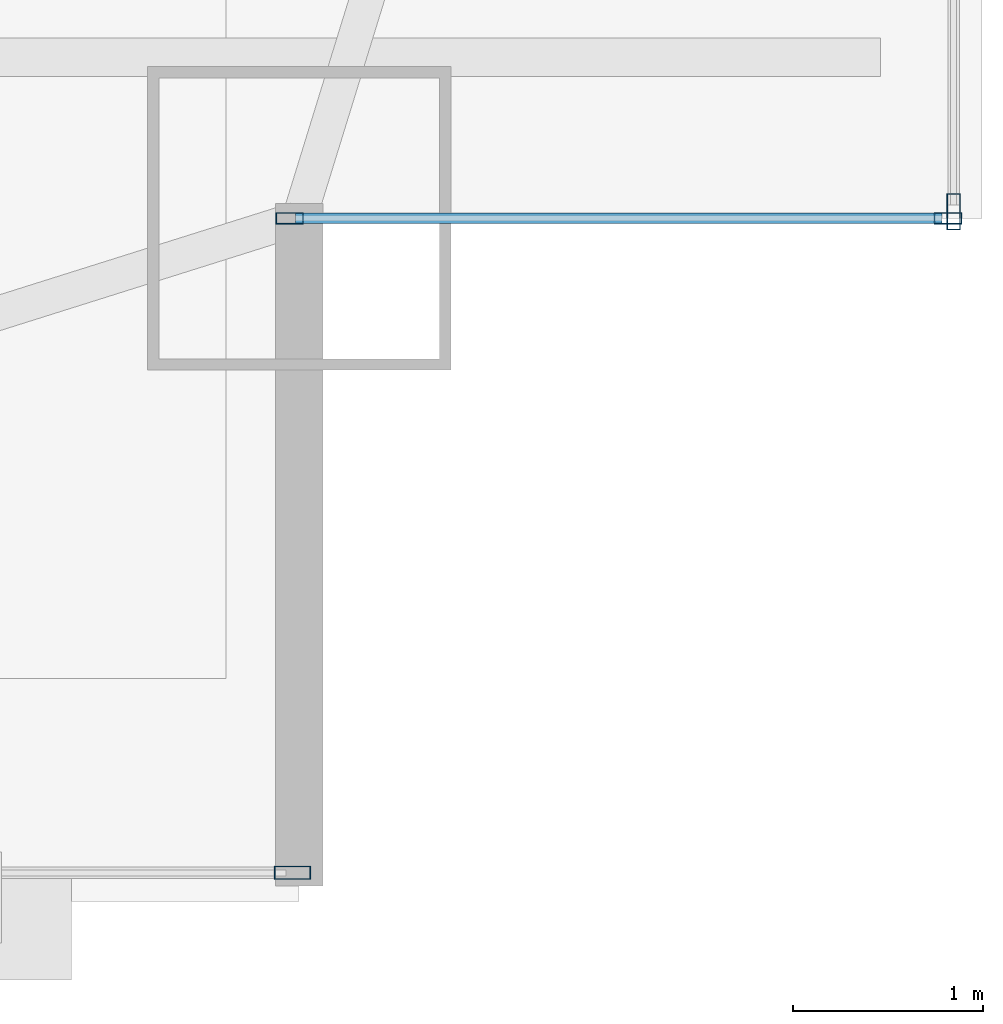
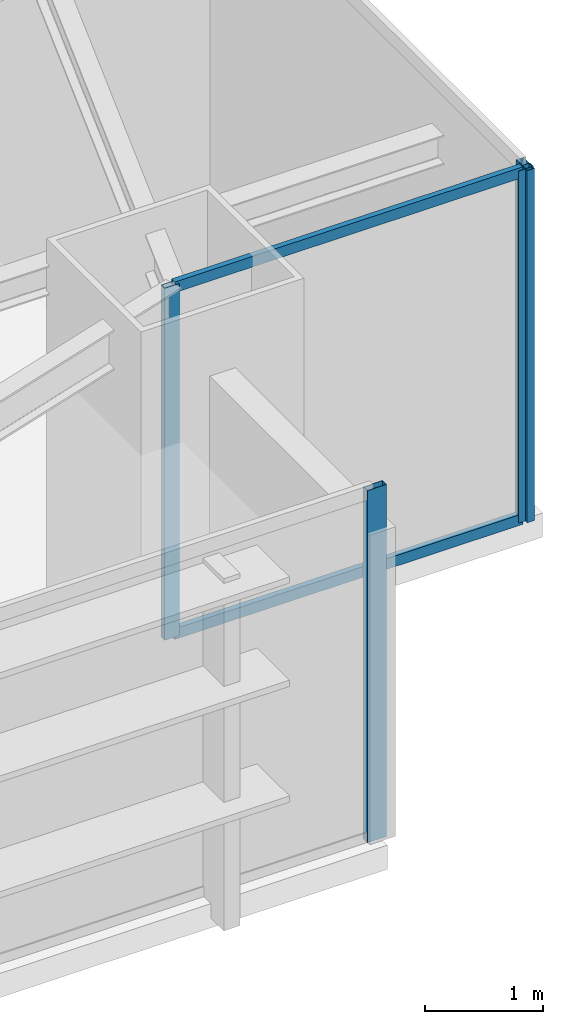
# One storey, part 16 of 32: 6 members, 3 elements without a shape of their own.
"""IFC4 building model written with IfcOpenShell, lengths in metres."""

import ifcopenshell
import ifcopenshell.guid

model = None  # the IFC model being written
_history = None  # IfcOwnerHistory: only IFC2X3 demands one
_inside = {}  # id of a spatial element -> (the spatial element, [elements in it])
_under = {}  # id of a project, library or spatial element -> (it, [spatial elements below it])
_declared = {}  # id of a project -> (the project, [libraries it declares])
_typed = {}  # id of a type object -> (the type object, [elements of that type])
_made_of = {}  # id of a material, layer set ... -> (it, [elements and type objects made of it])


def new_model(schema):
    """Start an empty IFC model of exactly this schema.

    Asked for "IFC4X3", IfcOpenShell would pick the latest addendum, in which some entities
    have other attributes; the version numbers below select the first issue.
    IFC2X3 requires an IfcOwnerHistory on every rooted entity: one is made here for all.
    """
    global model, _history
    if schema == "IFC4X3":
        model = ifcopenshell.file(schema_version=(4, 3, 0, 0))
    else:
        model = ifcopenshell.file(schema=schema)
    _inside.clear()
    _under.clear()
    _declared.clear()
    _typed.clear()
    _made_of.clear()
    _history = None
    if model.schema == "IFC2X3":
        org = make("IfcOrganization", Name="unknown")
        user = make(
            "IfcPersonAndOrganization",
            ThePerson=make("IfcPerson", FamilyName="unknown"),
            TheOrganization=org,
        )
        app = make(
            "IfcApplication",
            ApplicationDeveloper=org,
            Version="unknown",
            ApplicationFullName="unknown",
            ApplicationIdentifier="unknown",
        )
        _history = make(
            "IfcOwnerHistory",
            OwningUser=user,
            OwningApplication=app,
            ChangeAction="ADDED",
            CreationDate=0,
        )
    return model


def make(cls, **values):
    """One entity of the class cls with the attributes given. An attribute that is None is left unset."""
    return model.create_entity(
        cls, **{name: value for name, value in values.items() if value is not None}
    )


def rooted(cls, **values):
    """An entity with a GlobalId (a new one), such as an element, a storey or a relation."""
    return make(cls, GlobalId=ifcopenshell.guid.new(), OwnerHistory=_history, **values)


def si_unit(unit_type, name, prefix=None):
    """IfcSIUnit, for example si_unit("LENGTHUNIT", "METRE", prefix="MILLI")."""
    return make("IfcSIUnit", UnitType=unit_type, Prefix=prefix, Name=name)


def assignment(units):
    """IfcUnitAssignment: the units of a project."""
    return None if units is None else make("IfcUnitAssignment", Units=units)


def point(xyz):
    """IfcCartesianPoint."""
    return None if xyz is None else make("IfcCartesianPoint", Coordinates=xyz)


def direction(xyz):
    """IfcDirection."""
    return None if xyz is None else make("IfcDirection", DirectionRatios=xyz)


def frame(location, z_axis=None, x_axis=None):
    """IfcAxis2Placement3D, a coordinate frame: its origin and axes. An axis left out is left unset."""
    return make(
        "IfcAxis2Placement3D",
        Location=point(location),
        Axis=direction(z_axis),
        RefDirection=direction(x_axis),
    )


def frame_2d(location, x_axis=None):
    """IfcAxis2Placement2D, a coordinate frame in the plane: its origin and x axis."""
    return make(
        "IfcAxis2Placement2D", Location=point(location), RefDirection=direction(x_axis)
    )


def origin():
    """The frame at (0, 0, 0) with its axes left unset."""
    return frame((0.0, 0.0, 0.0))


def origin_2d():
    """The frame at (0, 0) in the plane with its x axis left unset."""
    return frame_2d((0.0, 0.0))


def place(relative_to, where):
    """IfcLocalPlacement: puts the frame where relative to a parent placement (None: the world)."""
    return make(
        "IfcLocalPlacement", PlacementRelTo=relative_to, RelativePlacement=where
    )


def context(
    kind, dimensions, precision=None, world=None, true_north=None, identifier=None
):
    """IfcGeometricRepresentationContext, for example the 3D "Model" context."""
    return make(
        "IfcGeometricRepresentationContext",
        ContextIdentifier=identifier,
        ContextType=kind,
        CoordinateSpaceDimension=dimensions,
        Precision=precision,
        WorldCoordinateSystem=world,
        TrueNorth=true_north,
    )


def subcontext(parent, identifier, kind, view, scale=None):
    """IfcGeometricRepresentationSubContext, for example "Body" below "Model"."""
    return make(
        "IfcGeometricRepresentationSubContext",
        ContextIdentifier=identifier,
        ContextType=kind,
        ParentContext=parent,
        TargetScale=scale,
        TargetView=view,
    )


def project(units=None, contexts=None):
    """IfcProject with its units and contexts."""
    return rooted(
        "IfcProject",
        Name="project",
        RepresentationContexts=contexts,
        UnitsInContext=assignment(units),
    )


def spatial(cls, under=None, at=None, **own):
    """A site, building, storey or space (cls), placed at a placement, below another one or the project."""
    s = rooted(cls, ObjectPlacement=at, **own)
    if under is not None:
        _under.setdefault(under.id(), (under, []))[1].append(s)
    return s


def profile(cls, at=None, kind="AREA", **sizes):
    """A parametric profile (cls). Its sizes go by their IFC names, for example OverallWidth=200.0."""
    return make(cls, ProfileType=kind, Position=at, **sizes)


def hollow_rectangle(**sizes):
    """IfcRectangleHollowProfileDef."""
    return profile("IfcRectangleHollowProfileDef", **sizes)


def extrude(swept, where, along, depth):
    """IfcExtrudedAreaSolid: the profile swept, set in the frame where, extruded along a direction by depth."""
    return make(
        "IfcExtrudedAreaSolid",
        SweptArea=swept,
        Position=where,
        ExtrudedDirection=direction(along),
        Depth=depth,
    )


def shape(context_of_items, identifier, shape_type, items):
    """IfcShapeRepresentation: the items that make up one representation, for example the "Body"."""
    return make(
        "IfcShapeRepresentation",
        ContextOfItems=context_of_items,
        RepresentationIdentifier=identifier,
        RepresentationType=shape_type,
        Items=items,
    )


def source(mapping_origin, context_of_items, identifier, shape_type, items):
    """IfcRepresentationMap: a shape defined once, which mapped items show again and again."""
    return make(
        "IfcRepresentationMap",
        MappingOrigin=mapping_origin,
        MappedRepresentation=shape(context_of_items, identifier, shape_type, items),
    )


def transform(
    local_origin,
    x_axis=None,
    y_axis=None,
    z_axis=None,
    scale=None,
    scale2=None,
    scale3=None,
    uniform=True,
):
    """IfcCartesianTransformationOperator3D, or its non-uniform kind. x_axis, y_axis, z_axis: its Axis1, 2, 3."""
    if uniform:
        return make(
            "IfcCartesianTransformationOperator3D",
            Axis1=direction(x_axis),
            Axis2=direction(y_axis),
            LocalOrigin=point(local_origin),
            Scale=scale,
            Axis3=direction(z_axis),
        )
    return make(
        "IfcCartesianTransformationOperator3DnonUniform",
        Axis1=direction(x_axis),
        Axis2=direction(y_axis),
        LocalOrigin=point(local_origin),
        Scale=scale,
        Axis3=direction(z_axis),
        Scale2=scale2,
        Scale3=scale3,
    )


def mapped(mapping_source, mapping_target):
    """IfcMappedItem: shows the shape of a source again, moved by a transform."""
    return make(
        "IfcMappedItem", MappingSource=mapping_source, MappingTarget=mapping_target
    )


def material(Name=None, Category=None):
    """IfcMaterial."""
    return make("IfcMaterial", Name=Name, Category=Category)


def layer(
    of_material, thickness, ventilated=None, Name=None, Category=None, Priority=None
):
    """IfcMaterialLayer: one layer of a wall or slab, of a material (None: an air gap)."""
    return make(
        "IfcMaterialLayer",
        Material=of_material,
        LayerThickness=thickness,
        IsVentilated=ventilated,
        Name=Name,
        Category=Category,
        Priority=Priority,
    )


def layer_set(layers, Name=None):
    """IfcMaterialLayerSet."""
    return make("IfcMaterialLayerSet", MaterialLayers=layers, LayerSetName=Name)


def material_profile(
    of_material, cross_section, Name=None, Category=None, Priority=None
):
    """IfcMaterialProfile: a cross section and its material."""
    return make(
        "IfcMaterialProfile",
        Name=Name,
        Material=of_material,
        Profile=cross_section,
        Priority=Priority,
        Category=Category,
    )


def profile_set(profiles, Name=None, composite=None):
    """IfcMaterialProfileSet."""
    return make(
        "IfcMaterialProfileSet",
        Name=Name,
        MaterialProfiles=profiles,
        CompositeProfile=composite,
    )


def made_of(thing, what):
    """Note that an element or type object is made of a material, layer set ...; save() writes the relation."""
    if what is not None:
        _made_of.setdefault(what.id(), (what, []))[1].append(thing)
    return thing


def type_object(cls, material=None, **own):
    """A type object (cls), such as IfcWallType, which elements share."""
    return made_of(rooted(cls, **own), material)


def type_shapes(of_type, sources):
    """Give a type object the sources (RepresentationMaps) that its elements show as mapped items."""
    of_type.RepresentationMaps = sources


def element(
    cls,
    number,
    at=None,
    inside=None,
    cuts=None,
    type_object=None,
    material=None,
    context=None,
    identifier="Body",
    shape_type=None,
    held_by="IfcProductDefinitionShape",
    body=None,
    shapes=None,
    **own,
):
    """One element of the class cls, such as IfcWall. Its Tag is "e" and its number.

    at: its placement. inside: the storey or other place that contains it. cuts: it is an
    opening in that element (IfcRelVoidsElement). A single representation is given by context,
    identifier, shape_type and body (its items); several are given by shapes. held_by: the class
    of the entity that holds the representations. save() writes the other relations.
    """
    e = rooted(cls, Tag="e%d" % number, ObjectPlacement=at, **own)
    if body is not None:
        shapes = [shape(context, identifier, shape_type, body)]
    if shapes is not None:
        e.Representation = make(held_by, Representations=shapes)
    if inside is not None:
        _inside.setdefault(inside.id(), (inside, []))[1].append(e)
    if cuts is not None:
        rooted(
            "IfcRelVoidsElement", RelatingBuildingElement=cuts, RelatedOpeningElement=e
        )
    if type_object is not None:
        _typed.setdefault(type_object.id(), (type_object, []))[1].append(e)
    return made_of(e, material)


def aggregate(whole, parts):
    """IfcRelAggregates: a whole, such as a stair, and the parts it consists of."""
    return rooted("IfcRelAggregates", RelatingObject=whole, RelatedObjects=parts)


def save(model, path):
    """Write the relations noted so far, then the file.

    IfcRelAggregates (storeys below a building ...), IfcRelContainedInSpatialStructure (elements
    in a storey), IfcRelDefinesByType, IfcRelAssociatesMaterial and IfcRelDeclares: one each for
    every whole, place, type object, material and project.
    """
    for whole, parts in _under.values():
        aggregate(whole, parts)
    for where, things in _inside.values():
        rooted(
            "IfcRelContainedInSpatialStructure",
            RelatedElements=things,
            RelatingStructure=where,
        )
    for kind, things in _typed.values():
        rooted("IfcRelDefinesByType", RelatedObjects=things, RelatingType=kind)
    for what, things in _made_of.values():
        rooted("IfcRelAssociatesMaterial", RelatedObjects=things, RelatingMaterial=what)
    for by, libraries in _declared.values():
        rooted("IfcRelDeclares", RelatingContext=by, RelatedDefinitions=libraries)
    model.write(path)


model = new_model("IFC4")

# Units and contexts
model_context = context("Model", 3, precision=1e-05, world=origin(), true_north=direction((0.0, 1.0)))
body_context = subcontext(model_context, "Body", "Model", "MODEL_VIEW")
ifc_project = project(units=[si_unit("LENGTHUNIT", "METRE"), si_unit("AREAUNIT", "SQUARE_METRE"), si_unit("VOLUMEUNIT", "CUBIC_METRE"), si_unit("PLANEANGLEUNIT", "RADIAN"), si_unit("MASSUNIT", "GRAM", prefix="KILO")], contexts=[model_context])

# Site, building, storey
site_placement = place(None, origin())
site = spatial("IfcSite", under=ifc_project, at=site_placement, CompositionType="ELEMENT")
building_placement = place(site_placement, origin())
building = spatial("IfcBuilding", under=site, at=building_placement, Name="Varnel Quay Broadcast Tower", CompositionType="ELEMENT")
storey_placement = place(building_placement, frame((0.0, 0.0, 54.89990234375)))
storey = spatial("IfcBuildingStorey", under=building, at=storey_placement, Name="L12", CompositionType="ELEMENT", Elevation=54.89990234375)

# Curtain wall, members
ifc_material = material(Name="Anodised Bronze Aluminium 6063-T6", Category="aluminium")
ifc_layer_1 = layer(ifc_material, 0.18994140625, Name="Anodised Bronze Aluminium 6063-T6")
ifc_layer_set_1 = layer_set([ifc_layer_1], Name="Anodised Bronze Aluminium 6063-T6")
curtain_wall_type_1 = type_object("IfcCurtainWallType", Name="CW_NotchCorner", PredefinedType="NOTDEFINED", material=ifc_layer_set_1)
curtain_wall_1_placement = place(storey_placement, origin())
curtain_wall_1 = element("IfcCurtainWall", 1, at=curtain_wall_1_placement, inside=storey, type_object=curtain_wall_type_1, Name="L12 SE Notch Curtain Wall", PredefinedType="NOTDEFINED")
ifc_material_profile_1 = material_profile(ifc_material, hollow_rectangle(XDim=0.054931640625, YDim=0.110107421875, WallThickness=0.0029296875, at=origin_2d()), Name="ALU55X110X3")
ifc_profile_set_1 = profile_set([ifc_material_profile_1], Name="Anodised Bronze Aluminium 6063-T6")
member_type_1 = type_object("IfcMemberType", Name="Tran_CWS-04", PredefinedType="USERDEFINED", material=ifc_profile_set_1)
shared_shape_1 = source(origin(), body_context, "Body", "SweptSolid", [
    extrude(hollow_rectangle(XDim=0.054931640625, YDim=0.110107421875, WallThickness=0.0029296875, at=origin_2d()), origin(), (0.0, 0.0, 1.0), 3.41015625),
])
type_shapes(member_type_1, [shared_shape_1])
member_1_placement = place(storey_placement, frame((62.3798828125, 4.800048828125, 0.027587890625), z_axis=(1.0, 0.0, 0.0), x_axis=(0.0, 1.0, 0.0)))
member_1 = element("IfcMember", 2, at=member_1_placement, type_object=member_type_1, Name="CWS-04 transom 1.1", ObjectType="TRANSOM", PredefinedType="USERDEFINED", context=body_context, shape_type="MappedRepresentation", body=[
    mapped(shared_shape_1, transform((0.0, 0.0, 0.0), x_axis=(1.0, 0.0, 0.0), y_axis=(0.0, 1.0, 0.0), z_axis=(0.0, 0.0, 1.0), scale=1.0)),
])
member_2_placement = place(storey_placement, frame((62.3798828125, 4.800048828125, 3.62255859375), z_axis=(1.0, 0.0, 0.0), x_axis=(0.0, 1.0, 0.0)))
member_2 = element("IfcMember", 3, at=member_2_placement, type_object=member_type_1, Name="CWS-04 transom 1.2", ObjectType="TRANSOM", PredefinedType="USERDEFINED", context=body_context, shape_type="MappedRepresentation", body=[
    mapped(shared_shape_1, transform((0.0, 0.0, 0.0), x_axis=(1.0, 0.0, 0.0), y_axis=(0.0, 1.0, 0.0), z_axis=(0.0, 0.0, 1.0), scale=1.0)),
])

# Curtain wall, member
ifc_layer_2 = layer(ifc_material, 0.18994140625, Name="Anodised Bronze Aluminium 6063-T6")
ifc_layer_set_2 = layer_set([ifc_layer_2], Name="Anodised Bronze Aluminium 6063-T6")
curtain_wall_type_2 = type_object("IfcCurtainWallType", Name="CW_LowerTower", PredefinedType="NOTDEFINED", material=ifc_layer_set_2)
curtain_wall_2_placement = place(storey_placement, origin())
curtain_wall_2 = element("IfcCurtainWall", 4, at=curtain_wall_2_placement, inside=storey, type_object=curtain_wall_type_2, Name="L12 South Unitised Curtain Wall 1", PredefinedType="NOTDEFINED")
ifc_material_profile_2 = material_profile(ifc_material, hollow_rectangle(XDim=0.070068359375, YDim=0.18994140625, WallThickness=0.00390625, at=origin_2d()), Name="ALU70X190X4")
ifc_profile_set_2 = profile_set([ifc_material_profile_2], Name="Anodised Bronze Aluminium 6063-T6")
member_type_2 = type_object("IfcMemberType", Name="Mull_CWS-02", PredefinedType="MULLION", material=ifc_profile_set_2)
shared_shape_2 = source(origin(), body_context, "Body", "SweptSolid", [
    extrude(hollow_rectangle(XDim=0.070068359375, YDim=0.18994140625, WallThickness=0.00390625, at=origin_2d()), origin(), (0.0, 0.0, 1.0), 3.650146484375),
])
type_shapes(member_type_2, [shared_shape_2])
member_3_placement = place(storey_placement, frame((62.364990234375, 1.35009765625, 0.0), z_axis=(0.0, 0.0, 1.0), x_axis=(0.0, 1.0, 0.0)))
member_3 = element("IfcMember", 5, at=member_3_placement, type_object=member_type_2, Name="CWS-02 mullion 6", PredefinedType="MULLION", context=body_context, shape_type="MappedRepresentation", body=[
    mapped(shared_shape_2, transform((0.0, 0.0, 0.0), x_axis=(1.0, 0.0, 0.0), y_axis=(0.0, 1.0, 0.0), z_axis=(0.0, 0.0, 1.0), scale=1.0)),
])
aggregate(curtain_wall_2, [member_3])

curtain_wall_3_placement = place(storey_placement, origin())
curtain_wall_3 = element("IfcCurtainWall", 6, at=curtain_wall_3_placement, inside=storey, type_object=curtain_wall_type_2, Name="L12 East Unitised Curtain Wall", PredefinedType="NOTDEFINED")
member_4_placement = place(storey_placement, frame((65.85009765625, 4.8349609375, 0.0), z_axis=(0.0, 0.0, 1.0), x_axis=(-1.0, 0.0, 0.0)))
member_4 = element("IfcMember", 7, at=member_4_placement, type_object=member_type_2, Name="CWS-02 mullion 1", PredefinedType="MULLION", context=body_context, shape_type="MappedRepresentation", body=[
    mapped(shared_shape_2, transform((0.0, 0.0, 0.0), x_axis=(1.0, 0.0, 0.0), y_axis=(0.0, 1.0, 0.0), z_axis=(0.0, 0.0, 1.0), scale=1.0)),
])
aggregate(curtain_wall_3, [member_4])

# Member
ifc_material_profile_3 = material_profile(ifc_material, hollow_rectangle(XDim=0.06005859375, YDim=0.14501953125, WallThickness=0.00341796875, at=origin_2d()), Name="ALU60X145X3.5")
ifc_profile_set_3 = profile_set([ifc_material_profile_3], Name="Anodised Bronze Aluminium 6063-T6")
member_type_3 = type_object("IfcMemberType", Name="Mull_CWS-04", PredefinedType="MULLION", material=ifc_profile_set_3)
shared_shape_3 = source(origin(), body_context, "Body", "SweptSolid", [
    extrude(hollow_rectangle(XDim=0.06005859375, YDim=0.14501953125, WallThickness=0.00341796875, at=origin_2d()), origin(), (0.0, 0.0, 1.0), 3.650146484375),
])
type_shapes(member_type_3, [shared_shape_3])
member_5_placement = place(storey_placement, frame((62.35009765625, 4.800048828125, 0.0), z_axis=(0.0, 0.0, 1.0), x_axis=(0.0, 1.0, 0.0)))
member_5 = element("IfcMember", 8, at=member_5_placement, type_object=member_type_3, Name="CWS-04 mullion 1", PredefinedType="MULLION", context=body_context, shape_type="MappedRepresentation", body=[
    mapped(shared_shape_3, transform((0.0, 0.0, 0.0), x_axis=(1.0, 0.0, 0.0), y_axis=(0.0, 1.0, 0.0), z_axis=(0.0, 0.0, 1.0), scale=1.0)),
])

member_6_placement = place(storey_placement, frame((65.820068359375, 4.800048828125, 0.0), z_axis=(0.0, 0.0, 1.0), x_axis=(0.0, 1.0, 0.0)))
member_6 = element("IfcMember", 9, at=member_6_placement, type_object=member_type_3, Name="CWS-04 mullion 2", PredefinedType="MULLION", context=body_context, shape_type="MappedRepresentation", body=[
    mapped(shared_shape_3, transform((0.0, 0.0, 0.0), x_axis=(1.0, 0.0, 0.0), y_axis=(0.0, 1.0, 0.0), z_axis=(0.0, 0.0, 1.0), scale=1.0)),
])

aggregate(curtain_wall_1, [member_5, member_6, member_1, member_2])

save(model, "model.ifc")
